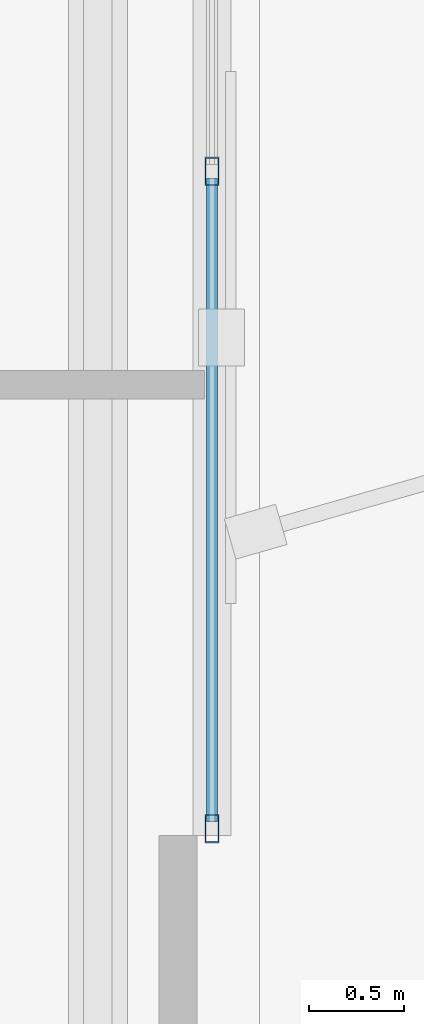
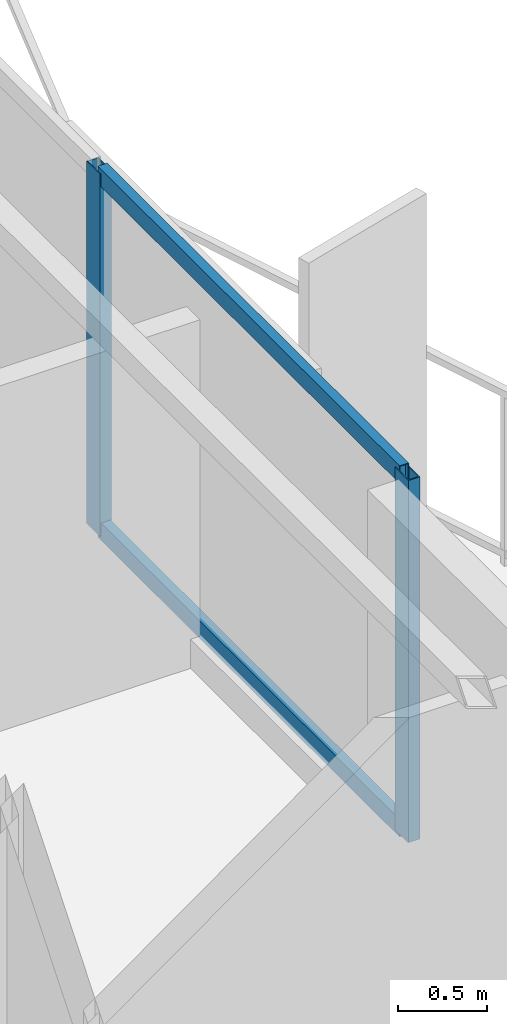
# One storey, part 7 of 19: 4 members, 1 element without a shape of its own.
"""IFC4 building model written with IfcOpenShell, lengths in metres."""

from ifc_helpers import new_model, si_unit, direction, frame, origin, origin_2d, place, context, subcontext, project, spatial, hollow_rectangle, extrude, material, layer, layer_set, material_profile, profile_set, type_object, element, aggregate, save


model = new_model("IFC4")

# Units and contexts
model_context = context("Model", 3, precision=1e-05, world=origin(), true_north=direction((0.0, 1.0)))
body_context = subcontext(model_context, "Body", "Model", "MODEL_VIEW")
ifc_project = project(units=[si_unit("LENGTHUNIT", "METRE"), si_unit("AREAUNIT", "SQUARE_METRE"), si_unit("VOLUMEUNIT", "CUBIC_METRE"), si_unit("PLANEANGLEUNIT", "RADIAN"), si_unit("MASSUNIT", "GRAM", prefix="KILO")], contexts=[model_context])

# Site, building, storey
site_placement = place(None, origin())
site = spatial("IfcSite", under=ifc_project, at=site_placement, CompositionType="ELEMENT")
building_placement = place(site_placement, origin())
building = spatial("IfcBuilding", under=site, at=building_placement, Name="Mersakhor Tower and Convention Hall", CompositionType="ELEMENT")
storey_placement = place(building_placement, frame((0.0, 0.0, 127.800048828125)))
storey = spatial("IfcBuildingStorey", under=building, at=storey_placement, Name="L35", CompositionType="ELEMENT", Elevation=127.800048828125)

# Curtain wall, members
ifc_material_1 = material(Name="Dark solar low-E aluminium curtain wall", Category="aluminium")
ifc_layer = layer(ifc_material_1, 0.169921875)
ifc_layer_set = layer_set([ifc_layer], Name="Dark solar low-E aluminium curtain wall")
curtain_wall_type = type_object("IfcCurtainWallType", Name="CW-SYS-02", PredefinedType="USERDEFINED", material=ifc_layer_set)
curtain_wall_placement = place(storey_placement, origin())
curtain_wall = element("IfcCurtainWall", 1, at=curtain_wall_placement, inside=storey, type_object=curtain_wall_type, Name="L35 Dark-Glass Curtain Wall F2-B2", ObjectType="CURTAIN WALL", PredefinedType="USERDEFINED")
ifc_material_2 = material(Name="Anodised aluminium EN AW-6063 T6", Category="aluminium")
ifc_material_profile_1 = material_profile(ifc_material_2, hollow_rectangle(XDim=0.074951171875, YDim=0.14990234375, WallThickness=0.00634765625, at=origin_2d()), Name="RHS 150x75x6.3")
ifc_profile_set_1 = profile_set([ifc_material_profile_1], Name="Anodised aluminium EN AW-6063 T6")
member_type_1 = type_object("IfcMemberType", Name="CWM-150x75", PredefinedType="MULLION", material=ifc_profile_set_1)
member_1_placement = place(storey_placement, frame((42.21923828125, 25.00244140625, 0.199951171875), z_axis=(0.0, 0.0, 1.0), x_axis=(1.0, 0.0, 0.0)))
member_1 = element("IfcMember", 2, at=member_1_placement, type_object=member_type_1, Name="CW-02 mullion 3", PredefinedType="MULLION", context=body_context, shape_type="SweptSolid", body=[
    extrude(hollow_rectangle(XDim=0.074951171875, YDim=0.14990234375, WallThickness=0.00634765625, at=origin_2d()), origin(), (0.0, 0.0, 1.0), 2.47998046875),
])
member_2_placement = place(storey_placement, frame((42.21923828125, 21.54443359375, 0.199951171875), z_axis=(0.0, 0.0, 1.0), x_axis=(1.0, 0.0, 0.0)))
member_2 = element("IfcMember", 3, at=member_2_placement, type_object=member_type_1, Name="CW-02 mullion 4", PredefinedType="MULLION", context=body_context, shape_type="SweptSolid", body=[
    extrude(hollow_rectangle(XDim=0.074951171875, YDim=0.14990234375, WallThickness=0.00634765625, at=origin_2d()), origin(), (0.0, 0.0, 1.0), 2.47998046875),
])
ifc_material_3 = material(Name="Anodised aluminium EN AW-6063 T6", Category="aluminium")
ifc_material_profile_2 = material_profile(ifc_material_3, hollow_rectangle(XDim=0.06005859375, YDim=0.1201171875, WallThickness=0.0048828125, at=origin_2d()), Name="RHS 120x60x5")
ifc_profile_set_2 = profile_set([ifc_material_profile_2], Name="Anodised aluminium EN AW-6063 T6")
member_type_2 = type_object("IfcMemberType", Name="CWT-120x60", PredefinedType="USERDEFINED", material=ifc_profile_set_2)
member_3_placement = place(storey_placement, frame((42.21923828125, 24.96484375, 0.22998046875), z_axis=(0.0, -1.0, 0.0), x_axis=(1.0, 0.0, 0.0)))
member_3 = element("IfcMember", 4, at=member_3_placement, type_object=member_type_2, Name="CW-02 transom 3.1", ObjectType="TRANSOM", PredefinedType="USERDEFINED", context=body_context, shape_type="SweptSolid", body=[
    extrude(hollow_rectangle(XDim=0.06005859375, YDim=0.1201171875, WallThickness=0.0048828125, at=origin_2d()), origin(), (0.0, 0.0, 1.0), 3.3828125),
])
member_4_placement = place(storey_placement, frame((42.21923828125, 24.96484375, 2.64990234375), z_axis=(0.0, -1.0, 0.0), x_axis=(1.0, 0.0, 0.0)))
member_4 = element("IfcMember", 5, at=member_4_placement, type_object=member_type_2, Name="CW-02 transom 3.2", ObjectType="TRANSOM", PredefinedType="USERDEFINED", context=body_context, shape_type="SweptSolid", body=[
    extrude(hollow_rectangle(XDim=0.06005859375, YDim=0.1201171875, WallThickness=0.0048828125, at=origin_2d()), origin(), (0.0, 0.0, 1.0), 3.3828125),
])
aggregate(curtain_wall, [member_1, member_2, member_3, member_4])

save(model, "model.ifc")
